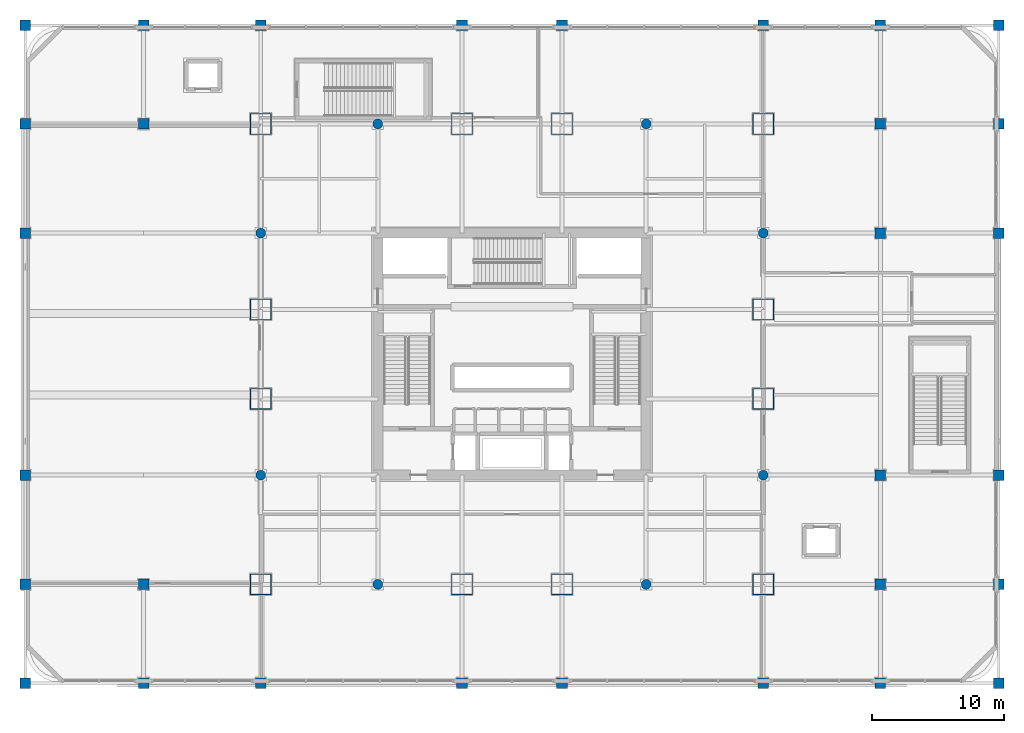
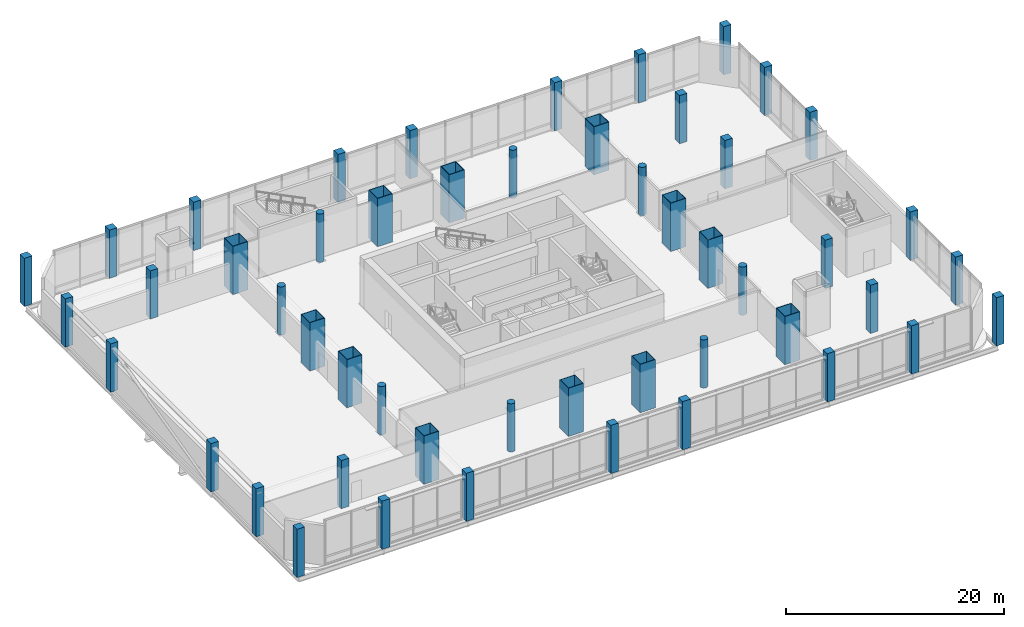
# One storey, part 1 of 35: 50 columns.
"""IFC4 building model written with IfcOpenShell, lengths in metres."""

from ifc_helpers import new_model, si_unit, direction, frame, origin, origin_2d, place, context, subcontext, project, spatial, rectangle, hollow_rectangle, circle, extrude, material, material_profile, profile_set, type_object, element, save


model = new_model("IFC4")

# Units and contexts
model_context = context("Model", 3, precision=1e-05, world=origin(), true_north=direction((0.0, 1.0)))
body_context = subcontext(model_context, "Body", "Model", "MODEL_VIEW")
ifc_project = project(units=[si_unit("LENGTHUNIT", "METRE"), si_unit("AREAUNIT", "SQUARE_METRE"), si_unit("VOLUMEUNIT", "CUBIC_METRE"), si_unit("PLANEANGLEUNIT", "RADIAN"), si_unit("MASSUNIT", "GRAM", prefix="KILO")], contexts=[model_context])

# Site, building, storey
site_placement = place(None, origin())
site = spatial("IfcSite", under=ifc_project, at=site_placement, CompositionType="ELEMENT")
building_placement = place(site_placement, origin())
building = spatial("IfcBuilding", under=site, at=building_placement, Name="Punatoya Terracotta Tower", CompositionType="ELEMENT")
storey_placement = place(building_placement, frame((0.0, 0.0, 16.800048828125)))
storey = spatial("IfcBuildingStorey", under=building, at=storey_placement, Name="L03", CompositionType="ELEMENT", Elevation=16.800048828125)

# Columns
ifc_material_1 = material(Name="Steel S460", Category="steel")
ifc_material_profile_1 = material_profile(ifc_material_1, hollow_rectangle(XDim=1.60009765625, YDim=1.60009765625, WallThickness=0.050048828125, at=origin_2d()))
ifc_profile_set_1 = profile_set([ifc_material_profile_1], Name="Steel S460")
column_type_1 = type_object("IfcColumnType", Name="COL-MC-Z0", PredefinedType="COLUMN", material=ifc_profile_set_1)
for number, where, z_axis, x_axis, name in (
    (1, (-19.10009765625, -17.5, 0.0), (0.0, 0.0, 1.0), (1.0, 0.0, 0.0), "L03 Composite Mega-Column MC-01 (3-B)"),
    (2, (-3.800048828125, -17.5, 0.0), (0.0, 0.0, 1.0), (1.0, 0.0, 0.0), "L03 Composite Mega-Column MC-02 (5-B)"),
    (3, (3.800048828125, -17.5, 0.0), (0.0, 0.0, 1.0), (1.0, 0.0, 0.0), "L03 Composite Mega-Column MC-03 (7-B)"),
    (4, (19.10009765625, -17.5, 0.0), (0.0, 0.0, 1.0), (1.0, 0.0, 0.0), "L03 Composite Mega-Column MC-04 (9-B)"),
    (5, (19.10009765625, -3.39990234375, 0.0), (0.0, 0.0, 1.0), (1.0, 0.0, 0.0), "L03 Composite Mega-Column MC-05 (9-D)"),
    (6, (19.10009765625, 3.39990234375, 0.0), (0.0, 0.0, 1.0), (1.0, 0.0, 0.0), "L03 Composite Mega-Column MC-06 (9-E)"),
    (7, (19.10009765625, 17.5, 0.0), (0.0, 0.0, 1.0), (1.0, 0.0, 0.0), "L03 Composite Mega-Column MC-07 (9-G)"),
    (8, (3.800048828125, 17.5, 0.0), (0.0, 0.0, 1.0), (1.0, 0.0, 0.0), "L03 Composite Mega-Column MC-08 (7-G)"),
    (9, (-3.800048828125, 17.5, 0.0), (0.0, 0.0, 1.0), (1.0, 0.0, 0.0), "L03 Composite Mega-Column MC-09 (5-G)"),
    (10, (-19.10009765625, 17.5, 0.0), (0.0, 0.0, 1.0), (1.0, 0.0, 0.0), "L03 Composite Mega-Column MC-10 (3-G)"),
    (11, (-19.10009765625, 3.39990234375, 0.0), (0.0, 0.0, 1.0), (1.0, 0.0, 0.0), "L03 Composite Mega-Column MC-11 (3-E)"),
    (12, (-19.10009765625, -3.39990234375, 0.0), (0.0, 0.0, 1.0), (1.0, 0.0, 0.0), "L03 Composite Mega-Column MC-12 (3-D)"),
):
    element("IfcColumn", number, at=place(storey_placement, frame(where, z_axis=z_axis, x_axis=x_axis)), inside=storey, type_object=column_type_1, Name=name, PredefinedType="COLUMN", context=body_context, shape_type="SweptSolid", body=[
        extrude(hollow_rectangle(XDim=1.60009765625, YDim=1.60009765625, WallThickness=0.050048828125, at=origin_2d()), origin(), (0.0, 0.0, 1.0), 5.39990234375),
    ])
ifc_material_2 = material(Name="Concrete C50/60", Category="concrete")
ifc_material_profile_2 = material_profile(ifc_material_2, circle(Radius=0.375, at=origin_2d()))
ifc_profile_set_2 = profile_set([ifc_material_profile_2], Name="Concrete C50/60")
column_type_2 = type_object("IfcColumnType", Name="COL-PIL-750", PredefinedType="PILASTER", material=ifc_profile_set_2)
for number, where, z_axis, x_axis, name in (
    (13, (-10.199951171875, -17.5, 0.0), (0.0, 0.0, 1.0), (1.0, 0.0, 0.0), "L03 Spine Arcade Pilaster PIL-01"),
    (14, (10.199951171875, -17.5, 0.0), (0.0, 0.0, 1.0), (1.0, 0.0, 0.0), "L03 Spine Arcade Pilaster PIL-02"),
    (15, (-10.199951171875, 17.5, 0.0), (0.0, 0.0, 1.0), (1.0, 0.0, 0.0), "L03 Spine Arcade Pilaster PIL-03"),
    (16, (10.199951171875, 17.5, 0.0), (0.0, 0.0, 1.0), (1.0, 0.0, 0.0), "L03 Spine Arcade Pilaster PIL-04"),
    (17, (-19.10009765625, -9.199951171875, 0.0), (0.0, 0.0, 1.0), (1.0, 0.0, 0.0), "L03 Spine Arcade Pilaster PIL-05"),
    (18, (19.10009765625, -9.199951171875, 0.0), (0.0, 0.0, 1.0), (1.0, 0.0, 0.0), "L03 Spine Arcade Pilaster PIL-06"),
    (19, (-19.10009765625, 9.199951171875, 0.0), (0.0, 0.0, 1.0), (1.0, 0.0, 0.0), "L03 Spine Arcade Pilaster PIL-07"),
    (20, (19.10009765625, 9.199951171875, 0.0), (0.0, 0.0, 1.0), (1.0, 0.0, 0.0), "L03 Spine Arcade Pilaster PIL-08"),
):
    element("IfcColumn", number, at=place(storey_placement, frame(where, z_axis=z_axis, x_axis=x_axis)), inside=storey, type_object=column_type_2, Name=name, PredefinedType="PILASTER", context=body_context, shape_type="SweptSolid", body=[
        extrude(circle(Radius=0.375, at=origin_2d()), origin(), (0.0, 0.0, 1.0), 5.39990234375),
    ])
ifc_material_profile_3 = material_profile(ifc_material_2, rectangle(XDim=0.800048828125, YDim=0.800048828125, at=origin_2d()))
ifc_profile_set_3 = profile_set([ifc_material_profile_3], Name="Concrete C50/60")
column_type_3 = type_object("IfcColumnType", Name="COL-RC-800", PredefinedType="COLUMN", material=ifc_profile_set_3)
for number, where, z_axis, x_axis, name in (
    (21, (-37.0, -25.0, 0.0), (0.0, 0.0, 1.0), (1.0, 0.0, 0.0), "L03 Podium Column PC-01 (1-A)"),
    (22, (-28.0, -25.0, 0.0), (0.0, 0.0, 1.0), (1.0, 0.0, 0.0), "L03 Podium Column PC-02 (2-A)"),
    (23, (-19.10009765625, -25.0, 0.0), (0.0, 0.0, 1.0), (1.0, 0.0, 0.0), "L03 Podium Column PC-03 (3-A)"),
    (24, (-3.800048828125, -25.0, 0.0), (0.0, 0.0, 1.0), (1.0, 0.0, 0.0), "L03 Podium Column PC-04 (5-A)"),
    (25, (3.800048828125, -25.0, 0.0), (0.0, 0.0, 1.0), (1.0, 0.0, 0.0), "L03 Podium Column PC-05 (7-A)"),
    (26, (19.10009765625, -25.0, 0.0), (0.0, 0.0, 1.0), (1.0, 0.0, 0.0), "L03 Podium Column PC-06 (9-A)"),
    (27, (28.0, -25.0, 0.0), (0.0, 0.0, 1.0), (1.0, 0.0, 0.0), "L03 Podium Column PC-07 (10-A)"),
    (28, (37.0, -25.0, 0.0), (0.0, 0.0, 1.0), (1.0, 0.0, 0.0), "L03 Podium Column PC-08 (11-A)"),
    (29, (-37.0, -17.5, 0.0), (0.0, 0.0, 1.0), (1.0, 0.0, 0.0), "L03 Podium Column PC-09 (1-B)"),
    (30, (-28.0, -17.5, 0.0), (0.0, 0.0, 1.0), (1.0, 0.0, 0.0), "L03 Podium Column PC-10 (2-B)"),
    (31, (28.0, -17.5, 0.0), (0.0, 0.0, 1.0), (1.0, 0.0, 0.0), "L03 Podium Column PC-11 (10-B)"),
    (32, (37.0, -17.5, 0.0), (0.0, 0.0, 1.0), (1.0, 0.0, 0.0), "L03 Podium Column PC-12 (11-B)"),
    (33, (-37.0, -9.199951171875, 0.0), (0.0, 0.0, 1.0), (1.0, 0.0, 0.0), "L03 Podium Column PC-13 (1-C)"),
    (34, (37.0, -9.199951171875, 0.0), (0.0, 0.0, 1.0), (1.0, 0.0, 0.0), "L03 Podium Column PC-14 (11-C)"),
    (35, (-37.0, 9.199951171875, 0.0), (0.0, 0.0, 1.0), (1.0, 0.0, 0.0), "L03 Podium Column PC-15 (1-F)"),
    (36, (37.0, 9.199951171875, 0.0), (0.0, 0.0, 1.0), (1.0, 0.0, 0.0), "L03 Podium Column PC-16 (11-F)"),
    (37, (-37.0, 17.5, 0.0), (0.0, 0.0, 1.0), (1.0, 0.0, 0.0), "L03 Podium Column PC-17 (1-G)"),
    (38, (-28.0, 17.5, 0.0), (0.0, 0.0, 1.0), (1.0, 0.0, 0.0), "L03 Podium Column PC-18 (2-G)"),
    (39, (28.0, 17.5, 0.0), (0.0, 0.0, 1.0), (1.0, 0.0, 0.0), "L03 Podium Column PC-19 (10-G)"),
    (40, (37.0, 17.5, 0.0), (0.0, 0.0, 1.0), (1.0, 0.0, 0.0), "L03 Podium Column PC-20 (11-G)"),
    (41, (-37.0, 25.0, 0.0), (0.0, 0.0, 1.0), (1.0, 0.0, 0.0), "L03 Podium Column PC-21 (1-H)"),
    (42, (-28.0, 25.0, 0.0), (0.0, 0.0, 1.0), (1.0, 0.0, 0.0), "L03 Podium Column PC-22 (2-H)"),
    (43, (-19.10009765625, 25.0, 0.0), (0.0, 0.0, 1.0), (1.0, 0.0, 0.0), "L03 Podium Column PC-23 (3-H)"),
    (44, (-3.800048828125, 25.0, 0.0), (0.0, 0.0, 1.0), (1.0, 0.0, 0.0), "L03 Podium Column PC-24 (5-H)"),
    (45, (3.800048828125, 25.0, 0.0), (0.0, 0.0, 1.0), (1.0, 0.0, 0.0), "L03 Podium Column PC-25 (7-H)"),
    (46, (19.10009765625, 25.0, 0.0), (0.0, 0.0, 1.0), (1.0, 0.0, 0.0), "L03 Podium Column PC-26 (9-H)"),
    (47, (28.0, 25.0, 0.0), (0.0, 0.0, 1.0), (1.0, 0.0, 0.0), "L03 Podium Column PC-27 (10-H)"),
    (48, (37.0, 25.0, 0.0), (0.0, 0.0, 1.0), (1.0, 0.0, 0.0), "L03 Podium Column PC-28 (11-H)"),
    (49, (28.0, -9.199951171875, 0.0), (0.0, 0.0, 1.0), (1.0, 0.0, 0.0), "L03 Podium Column PC-31 (10-C)"),
    (50, (28.0, 9.199951171875, 0.0), (0.0, 0.0, 1.0), (1.0, 0.0, 0.0), "L03 Podium Column PC-32 (10-F)"),
):
    element("IfcColumn", number, at=place(storey_placement, frame(where, z_axis=z_axis, x_axis=x_axis)), inside=storey, type_object=column_type_3, Name=name, PredefinedType="COLUMN", context=body_context, shape_type="SweptSolid", body=[
        extrude(rectangle(XDim=0.800048828125, YDim=0.800048828125, at=origin_2d()), origin(), (0.0, 0.0, 1.0), 5.39990234375),
    ])

save(model, "model.ifc")
